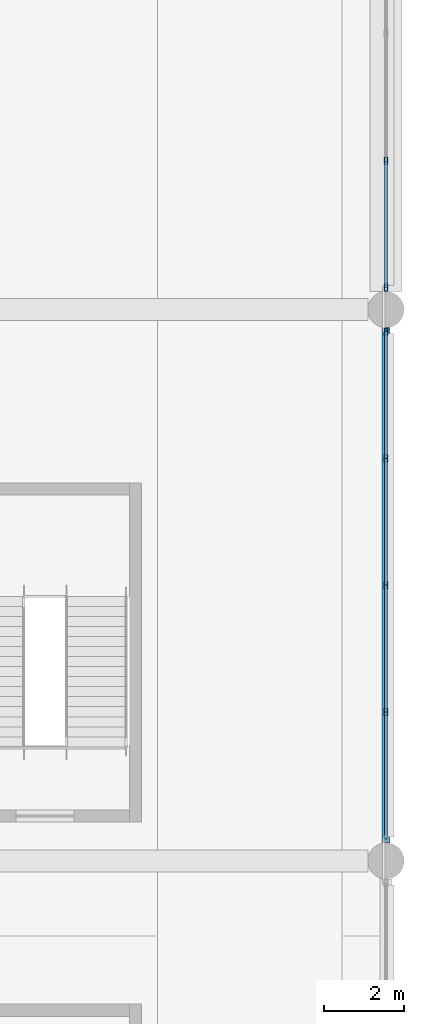
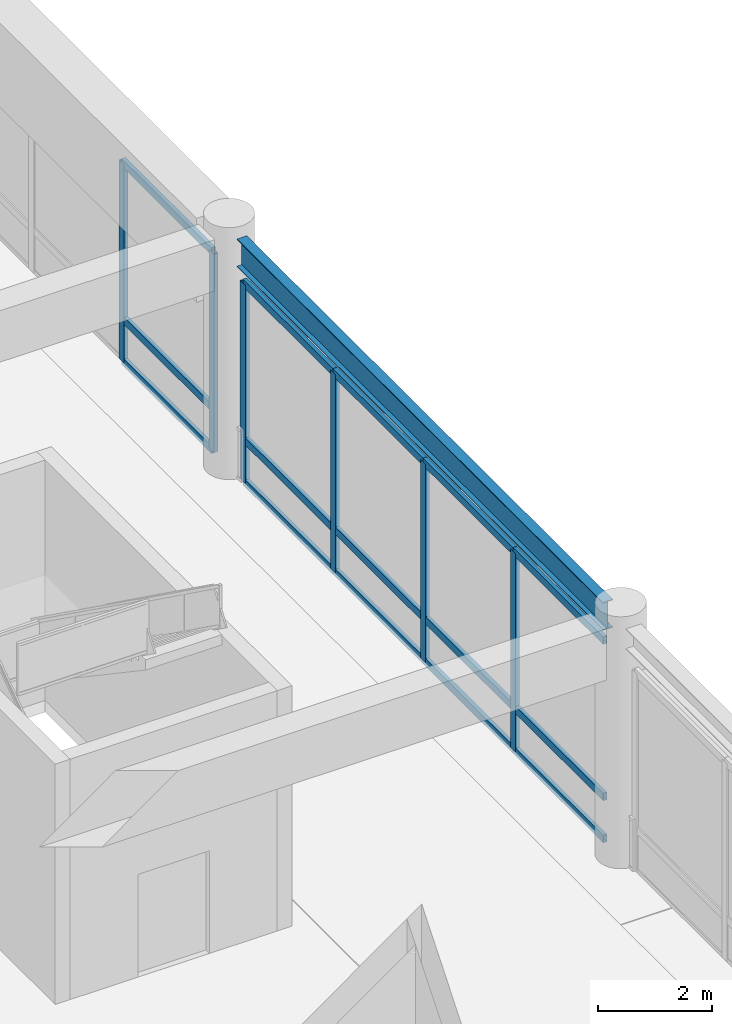
# One storey, part 59 of 117: 21 members, 1 beam, 2 elements without a shape of their own.
"""IFC4 building model written with IfcOpenShell, lengths in metres."""

from ifc_helpers import new_model, si_unit, direction, frame, origin, origin_2d, place, context, subcontext, project, spatial, hollow_rectangle, i_section, extrude, material, material_profile, profile_set, type_object, element, aggregate, save


model = new_model("IFC4")

# Units and contexts
model_context = context("Model", 3, precision=1e-05, world=origin(), true_north=direction((0.0, 1.0)))
body_context = subcontext(model_context, "Body", "Model", "MODEL_VIEW")
ifc_project = project(units=[si_unit("LENGTHUNIT", "METRE"), si_unit("AREAUNIT", "SQUARE_METRE"), si_unit("VOLUMEUNIT", "CUBIC_METRE"), si_unit("PLANEANGLEUNIT", "RADIAN"), si_unit("MASSUNIT", "GRAM", prefix="KILO")], contexts=[model_context])

# Site, building, storey
site_placement = place(None, origin())
site = spatial("IfcSite", under=ifc_project, at=site_placement, CompositionType="ELEMENT")
building_placement = place(site_placement, origin())
building = spatial("IfcBuilding", under=site, at=building_placement, Name="Linyun Crest Stadium", CompositionType="ELEMENT")
storey_placement = place(building_placement, frame((0.0, 0.0, 6.0)))
storey = spatial("IfcBuildingStorey", under=building, at=storey_placement, Name="L02", CompositionType="ELEMENT", Elevation=6.0)

# Beam
ifc_material_1 = material(Name="Steel Q355C", Category="steel")
ifc_material_profile_1 = material_profile(ifc_material_1, i_section(OverallWidth=0.199951171875, OverallDepth=0.60009765625, WebThickness=0.010986328125, FlangeThickness=0.01708984375, at=origin_2d()), Name="HN 600x200")
ifc_profile_set_1 = profile_set([ifc_material_profile_1], Name="Steel Q355C")
beam_type = type_object("IfcBeamType", Name="B11", PredefinedType="BEAM", material=ifc_profile_set_1)
beam_placement = place(storey_placement, frame((98.0, -11.175048828125, 4.85009765625), z_axis=(0.0, 1.0, 0.0), x_axis=(-1.0, 0.0, 0.0)))
element("IfcBeam", 1, at=beam_placement, inside=storey, type_object=beam_type, Name="Frame beam B11 L02 602", PredefinedType="BEAM", context=body_context, shape_type="SweptSolid", body=[
    extrude(i_section(OverallWidth=0.199951171875, OverallDepth=0.60009765625, WebThickness=0.010986328125, FlangeThickness=0.01708984375, at=origin_2d()), origin(), (0.0, 0.0, 1.0), 12.85009765625),
])

# Curtain wall, members
ifc_material_2 = material(Name="Verdigris steel and low-E curtain wall assembly", Category="steel")
curtain_wall_type = type_object("IfcCurtainWallType", Name="MCW01", PredefinedType="NOTDEFINED", material=ifc_material_2)
curtain_wall_1_placement = place(storey_placement, origin())
curtain_wall_1 = element("IfcCurtainWall", 2, at=curtain_wall_1_placement, inside=storey, type_object=curtain_wall_type, Name="CWR-096", PredefinedType="NOTDEFINED")
ifc_material_3 = material(Name="Verdigris painted steel Q355B mullion", Category="steel")
ifc_material_profile_2 = material_profile(ifc_material_3, hollow_rectangle(XDim=0.080078125, YDim=0.179931640625, WallThickness=0.006103515625, at=origin_2d()), Name="RHS 180x80x6")
ifc_profile_set_2 = profile_set([ifc_material_profile_2], Name="Verdigris painted steel Q355B mullion")
member_type_1 = type_object("IfcMemberType", Name="ML02", PredefinedType="MULLION", material=ifc_profile_set_2)
member_1_placement = place(storey_placement, frame((98.0, -7.912109375, 0.0), z_axis=(0.0, 0.0, 1.0), x_axis=(-1.0, 0.0, 0.0)))
member_1 = element("IfcMember", 3, at=member_1_placement, type_object=member_type_1, Name="CWR-096 mullion 2", PredefinedType="MULLION", context=body_context, shape_type="SweptSolid", body=[
    extrude(hollow_rectangle(XDim=0.080078125, YDim=0.179931640625, WallThickness=0.006103515625, at=origin_2d()), origin(), (0.0, 0.0, 1.0), 4.25),
])
member_2_placement = place(storey_placement, frame((98.0, -4.75, 0.0), z_axis=(0.0, 0.0, 1.0), x_axis=(-1.0, 0.0, 0.0)))
member_2 = element("IfcMember", 4, at=member_2_placement, type_object=member_type_1, Name="CWR-096 mullion 3", PredefinedType="MULLION", context=body_context, shape_type="SweptSolid", body=[
    extrude(hollow_rectangle(XDim=0.080078125, YDim=0.179931640625, WallThickness=0.006103515625, at=origin_2d()), origin(), (0.0, 0.0, 1.0), 4.25),
])
member_3_placement = place(storey_placement, frame((98.0, -1.587890625, 0.0), z_axis=(0.0, 0.0, 1.0), x_axis=(-1.0, 0.0, 0.0)))
member_3 = element("IfcMember", 5, at=member_3_placement, type_object=member_type_1, Name="CWR-096 mullion 4", PredefinedType="MULLION", context=body_context, shape_type="SweptSolid", body=[
    extrude(hollow_rectangle(XDim=0.080078125, YDim=0.179931640625, WallThickness=0.006103515625, at=origin_2d()), origin(), (0.0, 0.0, 1.0), 4.25),
])
member_4_placement = place(storey_placement, frame((98.0, 1.574951171875, 0.0), z_axis=(0.0, 0.0, 1.0), x_axis=(-1.0, 0.0, 0.0)))
member_4 = element("IfcMember", 6, at=member_4_placement, type_object=member_type_1, Name="CWR-096 mullion 5", PredefinedType="MULLION", context=body_context, shape_type="SweptSolid", body=[
    extrude(hollow_rectangle(XDim=0.080078125, YDim=0.179931640625, WallThickness=0.006103515625, at=origin_2d()), origin(), (0.0, 0.0, 1.0), 4.25),
])

curtain_wall_2_placement = place(storey_placement, origin())
curtain_wall_2 = element("IfcCurtainWall", 7, at=curtain_wall_2_placement, inside=storey, type_object=curtain_wall_type, Name="CWR-105", PredefinedType="NOTDEFINED")
member_5_placement = place(storey_placement, frame((98.0, 2.675048828125, 0.0), z_axis=(0.0, 0.0, 1.0), x_axis=(-1.0, 0.0, 0.0)))
member_5 = element("IfcMember", 8, at=member_5_placement, type_object=member_type_1, Name="CWR-105 mullion 1", PredefinedType="MULLION", context=body_context, shape_type="SweptSolid", body=[
    extrude(hollow_rectangle(XDim=0.080078125, YDim=0.179931640625, WallThickness=0.006103515625, at=origin_2d()), origin(), (0.0, 0.0, 1.0), 4.25),
])
member_6_placement = place(storey_placement, frame((98.0, 5.8369140625, 0.0), z_axis=(0.0, 0.0, 1.0), x_axis=(-1.0, 0.0, 0.0)))
member_6 = element("IfcMember", 9, at=member_6_placement, type_object=member_type_1, Name="CWR-105 mullion 2", PredefinedType="MULLION", context=body_context, shape_type="SweptSolid", body=[
    extrude(hollow_rectangle(XDim=0.080078125, YDim=0.179931640625, WallThickness=0.006103515625, at=origin_2d()), origin(), (0.0, 0.0, 1.0), 4.25),
])

# Member
ifc_material_4 = material(Name="Aluminium thermally broken transom", Category="aluminium")
ifc_material_profile_3 = material_profile(ifc_material_4, hollow_rectangle(XDim=0.080078125, YDim=0.159912109375, WallThickness=0.006103515625, at=origin_2d()), Name="RHS 160x80x6")
ifc_profile_set_3 = profile_set([ifc_material_profile_3], Name="Aluminium thermally broken transom")
member_type_2 = type_object("IfcMemberType", Name="TR01", PredefinedType="USERDEFINED", material=ifc_profile_set_3)
member_7_placement = place(storey_placement, frame((98.0, -11.074951171875, 0.0), z_axis=(0.0, 1.0, 0.0), x_axis=(-1.0, 0.0, 0.0)))
member_7 = element("IfcMember", 10, at=member_7_placement, type_object=member_type_2, Name="CWR-096 transom 1.1", ObjectType="TRANSOM", PredefinedType="USERDEFINED", context=body_context, shape_type="SweptSolid", body=[
    extrude(hollow_rectangle(XDim=0.080078125, YDim=0.159912109375, WallThickness=0.006103515625, at=origin_2d()), origin(), (0.0, 0.0, 1.0), 3.162841796875),
])

member_8_placement = place(storey_placement, frame((98.0, -11.074951171875, 0.89990234375), z_axis=(0.0, 1.0, 0.0), x_axis=(-1.0, 0.0, 0.0)))
member_8 = element("IfcMember", 11, at=member_8_placement, type_object=member_type_2, Name="CWR-096 transom 1.2", ObjectType="TRANSOM", PredefinedType="USERDEFINED", context=body_context, shape_type="SweptSolid", body=[
    extrude(hollow_rectangle(XDim=0.080078125, YDim=0.159912109375, WallThickness=0.006103515625, at=origin_2d()), origin(), (0.0, 0.0, 1.0), 3.162841796875),
])

member_9_placement = place(storey_placement, frame((98.0, -11.074951171875, 4.25), z_axis=(0.0, 1.0, 0.0), x_axis=(-1.0, 0.0, 0.0)))
member_9 = element("IfcMember", 12, at=member_9_placement, type_object=member_type_2, Name="CWR-096 transom 1.3", ObjectType="TRANSOM", PredefinedType="USERDEFINED", context=body_context, shape_type="SweptSolid", body=[
    extrude(hollow_rectangle(XDim=0.080078125, YDim=0.159912109375, WallThickness=0.006103515625, at=origin_2d()), origin(), (0.0, 0.0, 1.0), 3.162841796875),
])

member_10_placement = place(storey_placement, frame((98.0, -7.912109375, 0.0), z_axis=(0.0, 1.0, 0.0), x_axis=(-1.0, 0.0, 0.0)))
member_10 = element("IfcMember", 13, at=member_10_placement, type_object=member_type_2, Name="CWR-096 transom 2.1", ObjectType="TRANSOM", PredefinedType="USERDEFINED", context=body_context, shape_type="SweptSolid", body=[
    extrude(hollow_rectangle(XDim=0.080078125, YDim=0.159912109375, WallThickness=0.006103515625, at=origin_2d()), origin(), (0.0, 0.0, 1.0), 3.162109375),
])

member_11_placement = place(storey_placement, frame((98.0, -7.912109375, 0.89990234375), z_axis=(0.0, 1.0, 0.0), x_axis=(-1.0, 0.0, 0.0)))
member_11 = element("IfcMember", 14, at=member_11_placement, type_object=member_type_2, Name="CWR-096 transom 2.2", ObjectType="TRANSOM", PredefinedType="USERDEFINED", context=body_context, shape_type="SweptSolid", body=[
    extrude(hollow_rectangle(XDim=0.080078125, YDim=0.159912109375, WallThickness=0.006103515625, at=origin_2d()), origin(), (0.0, 0.0, 1.0), 3.162109375),
])

member_12_placement = place(storey_placement, frame((98.0, -7.912109375, 4.25), z_axis=(0.0, 1.0, 0.0), x_axis=(-1.0, 0.0, 0.0)))
member_12 = element("IfcMember", 15, at=member_12_placement, type_object=member_type_2, Name="CWR-096 transom 2.3", ObjectType="TRANSOM", PredefinedType="USERDEFINED", context=body_context, shape_type="SweptSolid", body=[
    extrude(hollow_rectangle(XDim=0.080078125, YDim=0.159912109375, WallThickness=0.006103515625, at=origin_2d()), origin(), (0.0, 0.0, 1.0), 3.162109375),
])

member_13_placement = place(storey_placement, frame((98.0, -4.75, 0.0), z_axis=(0.0, 1.0, 0.0), x_axis=(-1.0, 0.0, 0.0)))
member_13 = element("IfcMember", 16, at=member_13_placement, type_object=member_type_2, Name="CWR-096 transom 3.1", ObjectType="TRANSOM", PredefinedType="USERDEFINED", context=body_context, shape_type="SweptSolid", body=[
    extrude(hollow_rectangle(XDim=0.080078125, YDim=0.159912109375, WallThickness=0.006103515625, at=origin_2d()), origin(), (0.0, 0.0, 1.0), 3.162109375),
])

member_14_placement = place(storey_placement, frame((98.0, -4.75, 0.89990234375), z_axis=(0.0, 1.0, 0.0), x_axis=(-1.0, 0.0, 0.0)))
member_14 = element("IfcMember", 17, at=member_14_placement, type_object=member_type_2, Name="CWR-096 transom 3.2", ObjectType="TRANSOM", PredefinedType="USERDEFINED", context=body_context, shape_type="SweptSolid", body=[
    extrude(hollow_rectangle(XDim=0.080078125, YDim=0.159912109375, WallThickness=0.006103515625, at=origin_2d()), origin(), (0.0, 0.0, 1.0), 3.162109375),
])

member_15_placement = place(storey_placement, frame((98.0, -4.75, 4.25), z_axis=(0.0, 1.0, 0.0), x_axis=(-1.0, 0.0, 0.0)))
member_15 = element("IfcMember", 18, at=member_15_placement, type_object=member_type_2, Name="CWR-096 transom 3.3", ObjectType="TRANSOM", PredefinedType="USERDEFINED", context=body_context, shape_type="SweptSolid", body=[
    extrude(hollow_rectangle(XDim=0.080078125, YDim=0.159912109375, WallThickness=0.006103515625, at=origin_2d()), origin(), (0.0, 0.0, 1.0), 3.162109375),
])

member_16_placement = place(storey_placement, frame((98.0, -1.587890625, 0.0), z_axis=(0.0, 1.0, 0.0), x_axis=(-1.0, 0.0, 0.0)))
member_16 = element("IfcMember", 19, at=member_16_placement, type_object=member_type_2, Name="CWR-096 transom 4.1", ObjectType="TRANSOM", PredefinedType="USERDEFINED", context=body_context, shape_type="SweptSolid", body=[
    extrude(hollow_rectangle(XDim=0.080078125, YDim=0.159912109375, WallThickness=0.006103515625, at=origin_2d()), origin(), (0.0, 0.0, 1.0), 3.162841796875),
])

member_17_placement = place(storey_placement, frame((98.0, -1.587890625, 0.89990234375), z_axis=(0.0, 1.0, 0.0), x_axis=(-1.0, 0.0, 0.0)))
member_17 = element("IfcMember", 20, at=member_17_placement, type_object=member_type_2, Name="CWR-096 transom 4.2", ObjectType="TRANSOM", PredefinedType="USERDEFINED", context=body_context, shape_type="SweptSolid", body=[
    extrude(hollow_rectangle(XDim=0.080078125, YDim=0.159912109375, WallThickness=0.006103515625, at=origin_2d()), origin(), (0.0, 0.0, 1.0), 3.162841796875),
])

member_18_placement = place(storey_placement, frame((98.0, -1.587890625, 4.25), z_axis=(0.0, 1.0, 0.0), x_axis=(-1.0, 0.0, 0.0)))
member_18 = element("IfcMember", 21, at=member_18_placement, type_object=member_type_2, Name="CWR-096 transom 4.3", ObjectType="TRANSOM", PredefinedType="USERDEFINED", context=body_context, shape_type="SweptSolid", body=[
    extrude(hollow_rectangle(XDim=0.080078125, YDim=0.159912109375, WallThickness=0.006103515625, at=origin_2d()), origin(), (0.0, 0.0, 1.0), 3.162841796875),
])

aggregate(curtain_wall_1, [member_1, member_2, member_3, member_4, member_7, member_8, member_9, member_10, member_11, member_12, member_13, member_14, member_15, member_16, member_17, member_18])

member_19_placement = place(storey_placement, frame((98.0, 2.675048828125, 0.0), z_axis=(0.0, 1.0, 0.0), x_axis=(-1.0, 0.0, 0.0)))
member_19 = element("IfcMember", 22, at=member_19_placement, type_object=member_type_2, Name="CWR-105 transom 1.1", ObjectType="TRANSOM", PredefinedType="USERDEFINED", context=body_context, shape_type="SweptSolid", body=[
    extrude(hollow_rectangle(XDim=0.080078125, YDim=0.159912109375, WallThickness=0.006103515625, at=origin_2d()), origin(), (0.0, 0.0, 1.0), 3.161865234375),
])

member_20_placement = place(storey_placement, frame((98.0, 2.675048828125, 0.89990234375), z_axis=(0.0, 1.0, 0.0), x_axis=(-1.0, 0.0, 0.0)))
member_20 = element("IfcMember", 23, at=member_20_placement, type_object=member_type_2, Name="CWR-105 transom 1.2", ObjectType="TRANSOM", PredefinedType="USERDEFINED", context=body_context, shape_type="SweptSolid", body=[
    extrude(hollow_rectangle(XDim=0.080078125, YDim=0.159912109375, WallThickness=0.006103515625, at=origin_2d()), origin(), (0.0, 0.0, 1.0), 3.161865234375),
])

member_21_placement = place(storey_placement, frame((98.0, 2.675048828125, 4.25), z_axis=(0.0, 1.0, 0.0), x_axis=(-1.0, 0.0, 0.0)))
member_21 = element("IfcMember", 24, at=member_21_placement, type_object=member_type_2, Name="CWR-105 transom 1.3", ObjectType="TRANSOM", PredefinedType="USERDEFINED", context=body_context, shape_type="SweptSolid", body=[
    extrude(hollow_rectangle(XDim=0.080078125, YDim=0.159912109375, WallThickness=0.006103515625, at=origin_2d()), origin(), (0.0, 0.0, 1.0), 3.161865234375),
])

aggregate(curtain_wall_2, [member_5, member_6, member_19, member_20, member_21])

save(model, "model.ifc")
